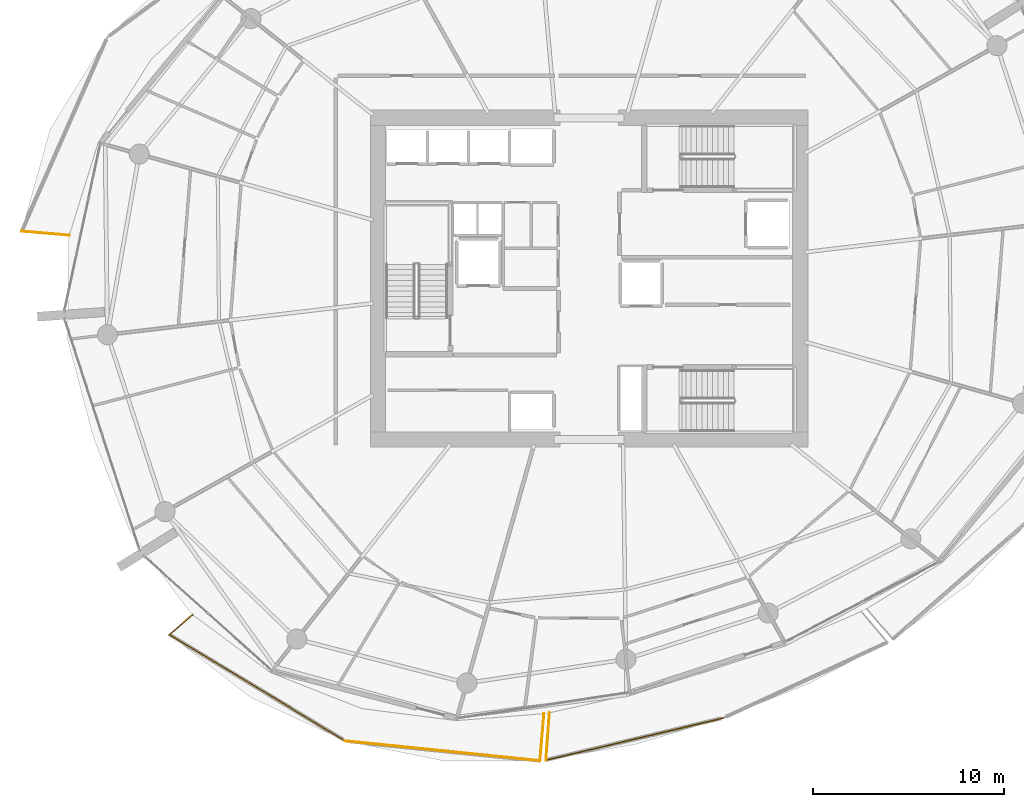
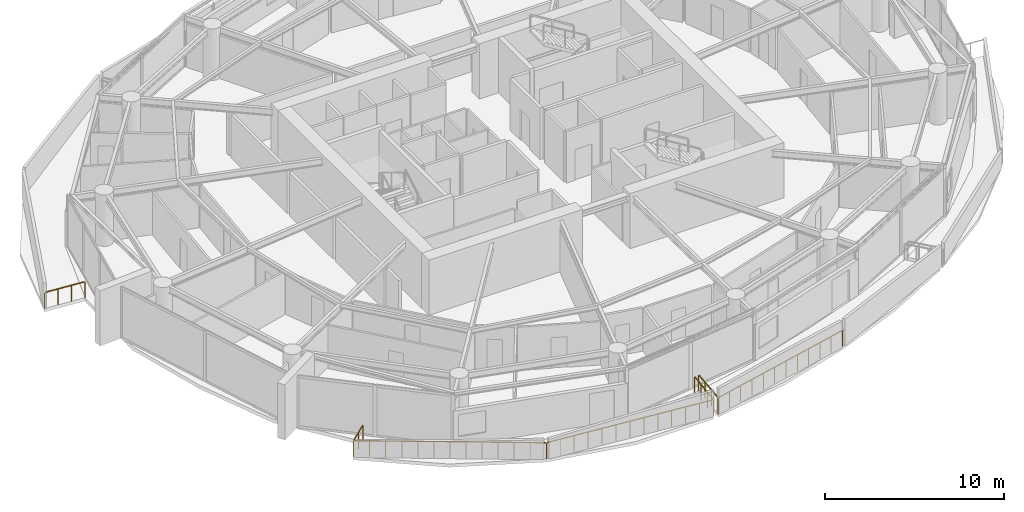
# One storey, part 16 of 20: 7 railings.
"""IFC4 building model written with IfcOpenShell, lengths in metres."""

from ifc_helpers import new_model, si_unit, direction, frame, origin, origin_2d, place, context, subcontext, project, spatial, rectangle, extrude, material, type_object, element, save


model = new_model("IFC4")

# Units and contexts
model_context = context("Model", 3, precision=1e-05, world=origin(), true_north=direction((0.0, 1.0)))
body_context = subcontext(model_context, "Body", "Model", "MODEL_VIEW")
ifc_project = project(units=[si_unit("LENGTHUNIT", "METRE"), si_unit("AREAUNIT", "SQUARE_METRE"), si_unit("VOLUMEUNIT", "CUBIC_METRE"), si_unit("PLANEANGLEUNIT", "RADIAN"), si_unit("MASSUNIT", "GRAM", prefix="KILO")], contexts=[model_context])

# Site, building, storey
site_placement = place(None, origin())
site = spatial("IfcSite", under=ifc_project, at=site_placement, CompositionType="ELEMENT")
building_placement = place(site_placement, origin())
building = spatial("IfcBuilding", under=site, at=building_placement, Name="Kazma Halo Residences", CompositionType="ELEMENT")
storey_placement = place(building_placement, frame((0.0, 0.0, 169.050048828125)))
storey = spatial("IfcBuildingStorey", under=building, at=storey_placement, Name="L42", CompositionType="ELEMENT", Elevation=169.050048828125)

# Railings
ifc_material = material(Name="Aluminium AW-6063 T6 Brushed Cap Rail", Category="aluminium")
railing_type = type_object("IfcRailingType", Name="RLG-BAL-CAP-1120", PredefinedType="BALUSTRADE", material=ifc_material)
railing_1_placement = place(storey_placement, frame((18.782958984375, 44.47900390625, 0.0)))
element("IfcRailing", 1, at=railing_1_placement, inside=storey, type_object=railing_type, Name="L42 NW wave balcony guard 4", PredefinedType="BALUSTRADE", context=body_context, shape_type="SweptSolid", body=[
    extrude(rectangle(XDim=0.050048828125, YDim=0.050048828125, at=origin_2d()), frame((0.04248046875, -0.003662109375, 1.09521484375), z_axis=(0.996421037554, -0.084528787517, 0.0), x_axis=(0.084528787517, 0.996421037554, 0.0)), (0.0, 0.0, 1.0), 2.407470703125),
    extrude(rectangle(XDim=0.0400390625, YDim=0.0400390625, at=origin_2d()), origin(), (0.0, 0.0, 1.0), 1.05810546875),
    extrude(rectangle(XDim=0.0400390625, YDim=0.0400390625, at=origin_2d()), frame((0.827880859375, -0.0703125, 0.0)), (0.0, 0.0, 1.0), 1.05810546875),
    extrude(rectangle(XDim=0.0400390625, YDim=0.0400390625, at=origin_2d()), frame((1.65576171875, -0.140380859375, 0.0)), (0.0, 0.0, 1.0), 1.05810546875),
    extrude(rectangle(XDim=0.0400390625, YDim=0.0400390625, at=origin_2d()), frame((2.483642578125, -0.210693359375, 0.0)), (0.0, 0.0, 1.0), 1.05810546875),
])
railing_2_placement = place(storey_placement, frame((27.705322265625, 24.451416015625, 0.0)))
element("IfcRailing", 2, at=railing_2_placement, inside=storey, type_object=railing_type, Name="L42 SW wave balcony guard 1", PredefinedType="BALUSTRADE", context=body_context, shape_type="SweptSolid", body=[
    extrude(rectangle(XDim=0.050048828125, YDim=0.050048828125, at=origin_2d()), frame((-0.0322265625, -0.02783203125, 1.09521484375), z_axis=(-0.756359086682, -0.654156657074, 0.0), x_axis=(0.654156657074, -0.756359086682, 0.0)), (0.0, 0.0, 1.0), 1.512939453125),
    extrude(rectangle(XDim=0.0400390625, YDim=0.0400390625, at=origin_2d()), origin(), (0.0, 0.0, 1.0), 1.05810546875),
    extrude(rectangle(XDim=0.0400390625, YDim=0.0400390625, at=origin_2d()), frame((-0.6044921875, -0.522705078125, 0.0)), (0.0, 0.0, 1.0), 1.05810546875),
    extrude(rectangle(XDim=0.0400390625, YDim=0.0400390625, at=origin_2d()), frame((-1.208740234375, -1.04541015625, 0.0)), (0.0, 0.0, 1.0), 1.05810546875),
])
railing_3_placement = place(storey_placement, frame((26.49658203125, 23.406005859375, 0.0)))
element("IfcRailing", 3, at=railing_3_placement, inside=storey, type_object=railing_type, Name="L42 SW wave balcony guard 2", PredefinedType="BALUSTRADE", context=body_context, shape_type="SweptSolid", body=[
    extrude(rectangle(XDim=0.050048828125, YDim=0.050048828125, at=origin_2d()), frame((0.036376953125, -0.02197265625, 1.09521484375), z_axis=(0.856003934619, -0.516969306552, 0.0), x_axis=(0.516969306552, 0.856003934619, 0.0)), (0.0, 0.0, 1.0), 10.6611328125),
    extrude(rectangle(XDim=0.0400390625, YDim=0.0400390625, at=origin_2d()), origin(), (0.0, 0.0, 1.0), 1.05810546875),
    extrude(rectangle(XDim=0.0400390625, YDim=0.0400390625, at=origin_2d()), frame((0.7666015625, -0.462890625, 0.0)), (0.0, 0.0, 1.0), 1.05810546875),
    extrude(rectangle(XDim=0.0400390625, YDim=0.0400390625, at=origin_2d()), frame((1.533203125, -0.92578125, 0.0)), (0.0, 0.0, 1.0), 1.05810546875),
    extrude(rectangle(XDim=0.0400390625, YDim=0.0400390625, at=origin_2d()), frame((2.2998046875, -1.388916015625, 0.0)), (0.0, 0.0, 1.0), 1.05810546875),
    extrude(rectangle(XDim=0.0400390625, YDim=0.0400390625, at=origin_2d()), frame((3.066162109375, -1.851806640625, 0.0)), (0.0, 0.0, 1.0), 1.05810546875),
    extrude(rectangle(XDim=0.0400390625, YDim=0.0400390625, at=origin_2d()), frame((3.832763671875, -2.314697265625, 0.0)), (0.0, 0.0, 1.0), 1.05810546875),
    extrude(rectangle(XDim=0.0400390625, YDim=0.0400390625, at=origin_2d()), frame((4.599365234375, -2.77783203125, 0.0)), (0.0, 0.0, 1.0), 1.05810546875),
    extrude(rectangle(XDim=0.0400390625, YDim=0.0400390625, at=origin_2d()), frame((5.365966796875, -3.24072265625, 0.0)), (0.0, 0.0, 1.0), 1.05810546875),
    extrude(rectangle(XDim=0.0400390625, YDim=0.0400390625, at=origin_2d()), frame((6.132568359375, -3.70361328125, 0.0)), (0.0, 0.0, 1.0), 1.05810546875),
    extrude(rectangle(XDim=0.0400390625, YDim=0.0400390625, at=origin_2d()), frame((6.89892578125, -4.16650390625, 0.0)), (0.0, 0.0, 1.0), 1.05810546875),
    extrude(rectangle(XDim=0.0400390625, YDim=0.0400390625, at=origin_2d()), frame((7.66552734375, -4.62939453125, 0.0)), (0.0, 0.0, 1.0), 1.05810546875),
    extrude(rectangle(XDim=0.0400390625, YDim=0.0400390625, at=origin_2d()), frame((8.43212890625, -5.092529296875, 0.0)), (0.0, 0.0, 1.0), 1.05810546875),
    extrude(rectangle(XDim=0.0400390625, YDim=0.0400390625, at=origin_2d()), frame((9.19873046875, -5.555419921875, 0.0)), (0.0, 0.0, 1.0), 1.05810546875),
])
railing_4_placement = place(storey_placement, frame((35.6953125, 17.8505859375, 0.0)))
element("IfcRailing", 4, at=railing_4_placement, inside=storey, type_object=railing_type, Name="L42 SW wave balcony guard 3", PredefinedType="BALUSTRADE", context=body_context, shape_type="SweptSolid", body=[
    extrude(rectangle(XDim=0.050048828125, YDim=0.050048828125, at=origin_2d()), frame((0.042236328125, -0.00439453125, 1.09521484375), z_axis=(0.994888990239, -0.100974734963, 0.0), x_axis=(0.100974734963, 0.994888990239, 0.0)), (0.0, 0.0, 1.0), 10.135009765625),
    extrude(rectangle(XDim=0.0400390625, YDim=0.0400390625, at=origin_2d()), origin(), (0.0, 0.0, 1.0), 1.05810546875),
    extrude(rectangle(XDim=0.0400390625, YDim=0.0400390625, at=origin_2d()), frame((0.847412109375, -0.0859375, 0.0)), (0.0, 0.0, 1.0), 1.05810546875),
    extrude(rectangle(XDim=0.0400390625, YDim=0.0400390625, at=origin_2d()), frame((1.694580078125, -0.171875, 0.0)), (0.0, 0.0, 1.0), 1.05810546875),
    extrude(rectangle(XDim=0.0400390625, YDim=0.0400390625, at=origin_2d()), frame((2.5419921875, -0.258056640625, 0.0)), (0.0, 0.0, 1.0), 1.05810546875),
    extrude(rectangle(XDim=0.0400390625, YDim=0.0400390625, at=origin_2d()), frame((3.389404296875, -0.343994140625, 0.0)), (0.0, 0.0, 1.0), 1.05810546875),
    extrude(rectangle(XDim=0.0400390625, YDim=0.0400390625, at=origin_2d()), frame((4.236572265625, -0.429931640625, 0.0)), (0.0, 0.0, 1.0), 1.05810546875),
    extrude(rectangle(XDim=0.0400390625, YDim=0.0400390625, at=origin_2d()), frame((5.083984375, -0.51611328125, 0.0)), (0.0, 0.0, 1.0), 1.05810546875),
    extrude(rectangle(XDim=0.0400390625, YDim=0.0400390625, at=origin_2d()), frame((5.931396484375, -0.60205078125, 0.0)), (0.0, 0.0, 1.0), 1.05810546875),
    extrude(rectangle(XDim=0.0400390625, YDim=0.0400390625, at=origin_2d()), frame((6.778564453125, -0.68798828125, 0.0)), (0.0, 0.0, 1.0), 1.05810546875),
    extrude(rectangle(XDim=0.0400390625, YDim=0.0400390625, at=origin_2d()), frame((7.6259765625, -0.77392578125, 0.0)), (0.0, 0.0, 1.0), 1.05810546875),
    extrude(rectangle(XDim=0.0400390625, YDim=0.0400390625, at=origin_2d()), frame((8.473388671875, -0.85986328125, 0.0)), (0.0, 0.0, 1.0), 1.05810546875),
    extrude(rectangle(XDim=0.0400390625, YDim=0.0400390625, at=origin_2d()), frame((9.320556640625, -0.946044921875, 0.0)), (0.0, 0.0, 1.0), 1.05810546875),
    extrude(rectangle(XDim=0.0400390625, YDim=0.0400390625, at=origin_2d()), frame((10.16796875, -1.031982421875, 0.0)), (0.0, 0.0, 1.0), 1.05810546875),
])
railing_5_placement = place(storey_placement, frame((45.86328125, 16.818603515625, 0.0)))
element("IfcRailing", 5, at=railing_5_placement, inside=storey, type_object=railing_type, Name="L42 SW wave balcony guard 4", PredefinedType="BALUSTRADE", context=body_context, shape_type="SweptSolid", body=[
    extrude(rectangle(XDim=0.050048828125, YDim=0.050048828125, at=origin_2d()), frame((0.003662109375, 0.04248046875, 1.09521484375), z_axis=(0.084517933957, 0.996421958228, 0.0), x_axis=(-0.996421958228, 0.084517933957, 0.0)), (0.0, 0.0, 1.0), 2.384765625),
    extrude(rectangle(XDim=0.0400390625, YDim=0.0400390625, at=origin_2d()), origin(), (0.0, 0.0, 1.0), 1.05810546875),
    extrude(rectangle(XDim=0.0400390625, YDim=0.0400390625, at=origin_2d()), frame((0.069580078125, 0.8203125, 0.0)), (0.0, 0.0, 1.0), 1.05810546875),
    extrude(rectangle(XDim=0.0400390625, YDim=0.0400390625, at=origin_2d()), frame((0.13916015625, 1.640625, 0.0)), (0.0, 0.0, 1.0), 1.05810546875),
    extrude(rectangle(XDim=0.0400390625, YDim=0.0400390625, at=origin_2d()), frame((0.208740234375, 2.4609375, 0.0)), (0.0, 0.0, 1.0), 1.05810546875),
])
railing_6_placement = place(storey_placement, frame((46.3544921875, 19.32177734375, 0.0)))
element("IfcRailing", 6, at=railing_6_placement, inside=storey, type_object=railing_type, Name="L42 SSE wave balcony guard 1", PredefinedType="BALUSTRADE", context=body_context, shape_type="SweptSolid", body=[
    extrude(rectangle(XDim=0.050048828125, YDim=0.050048828125, at=origin_2d()), frame((-0.003173828125, -0.04248046875, 1.09521484375), z_axis=(-0.072387851321, -0.997376558267, 0.0), x_axis=(0.997376558267, -0.072387851321, 0.0)), (0.0, 0.0, 1.0), 2.393798828125),
    extrude(rectangle(XDim=0.0400390625, YDim=0.0400390625, at=origin_2d()), origin(), (0.0, 0.0, 1.0), 1.05810546875),
    extrude(rectangle(XDim=0.0400390625, YDim=0.0400390625, at=origin_2d()), frame((-0.059814453125, -0.82421875, 0.0)), (0.0, 0.0, 1.0), 1.05810546875),
    extrude(rectangle(XDim=0.0400390625, YDim=0.0400390625, at=origin_2d()), frame((-0.11962890625, -1.648193359375, 0.0)), (0.0, 0.0, 1.0), 1.05810546875),
    extrude(rectangle(XDim=0.0400390625, YDim=0.0400390625, at=origin_2d()), frame((-0.179443359375, -2.472412109375, 0.0)), (0.0, 0.0, 1.0), 1.05810546875),
])
railing_7_placement = place(storey_placement, frame((46.175048828125, 16.849365234375, 0.0)))
element("IfcRailing", 7, at=railing_7_placement, inside=storey, type_object=railing_type, Name="L42 SSE wave balcony guard 2", PredefinedType="BALUSTRADE", context=body_context, shape_type="SweptSolid", body=[
    extrude(rectangle(XDim=0.050048828125, YDim=0.050048828125, at=origin_2d()), frame((0.04150390625, 0.009765625, 1.09521484375), z_axis=(0.972949927438, 0.231016100517, 0.0), x_axis=(-0.231016100517, 0.972949927438, 0.0)), (0.0, 0.0, 1.0), 9.45361328125),
    extrude(rectangle(XDim=0.0400390625, YDim=0.0400390625, at=origin_2d()), origin(), (0.0, 0.0, 1.0), 1.05810546875),
    extrude(rectangle(XDim=0.0400390625, YDim=0.0400390625, at=origin_2d()), frame((0.84375, 0.200439453125, 0.0)), (0.0, 0.0, 1.0), 1.05810546875),
    extrude(rectangle(XDim=0.0400390625, YDim=0.0400390625, at=origin_2d()), frame((1.6875, 0.400634765625, 0.0)), (0.0, 0.0, 1.0), 1.05810546875),
    extrude(rectangle(XDim=0.0400390625, YDim=0.0400390625, at=origin_2d()), frame((2.531005859375, 0.60107421875, 0.0)), (0.0, 0.0, 1.0), 1.05810546875),
    extrude(rectangle(XDim=0.0400390625, YDim=0.0400390625, at=origin_2d()), frame((3.374755859375, 0.80126953125, 0.0)), (0.0, 0.0, 1.0), 1.05810546875),
    extrude(rectangle(XDim=0.0400390625, YDim=0.0400390625, at=origin_2d()), frame((4.218505859375, 1.001708984375, 0.0)), (0.0, 0.0, 1.0), 1.05810546875),
    extrude(rectangle(XDim=0.0400390625, YDim=0.0400390625, at=origin_2d()), frame((5.062255859375, 1.201904296875, 0.0)), (0.0, 0.0, 1.0), 1.05810546875),
    extrude(rectangle(XDim=0.0400390625, YDim=0.0400390625, at=origin_2d()), frame((5.906005859375, 1.40234375, 0.0)), (0.0, 0.0, 1.0), 1.05810546875),
    extrude(rectangle(XDim=0.0400390625, YDim=0.0400390625, at=origin_2d()), frame((6.749755859375, 1.6025390625, 0.0)), (0.0, 0.0, 1.0), 1.05810546875),
    extrude(rectangle(XDim=0.0400390625, YDim=0.0400390625, at=origin_2d()), frame((7.59326171875, 1.802978515625, 0.0)), (0.0, 0.0, 1.0), 1.05810546875),
    extrude(rectangle(XDim=0.0400390625, YDim=0.0400390625, at=origin_2d()), frame((8.43701171875, 2.003173828125, 0.0)), (0.0, 0.0, 1.0), 1.05810546875),
    extrude(rectangle(XDim=0.0400390625, YDim=0.0400390625, at=origin_2d()), frame((9.28076171875, 2.20361328125, 0.0)), (0.0, 0.0, 1.0), 1.05810546875),
])

save(model, "model.ifc")
